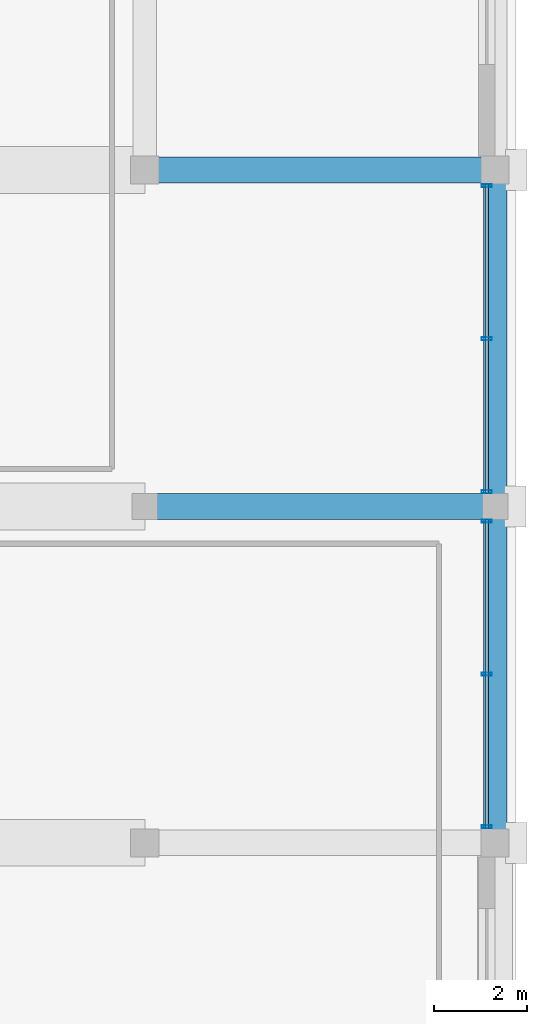
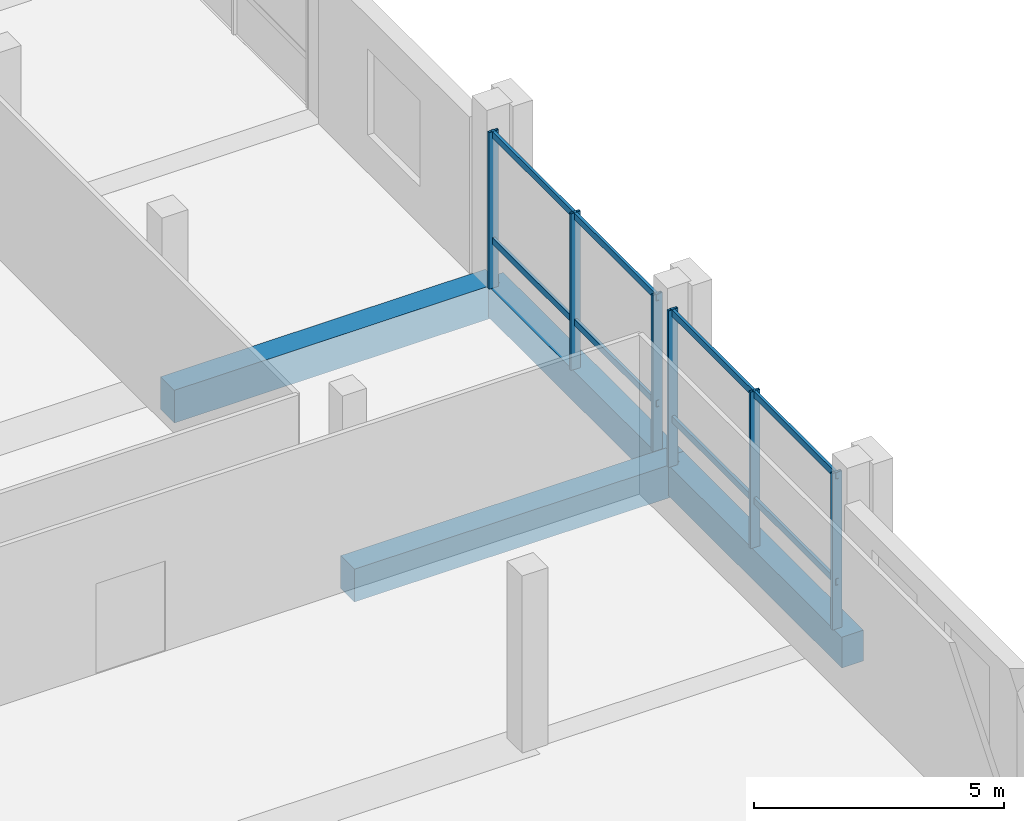
# One storey, part 34 of 68: 10 members, 4 beams, 2 elements without a shape of their own.
"""IFC4 building model written with IfcOpenShell, lengths in metres."""

from ifc_helpers import new_model, si_unit, direction, frame, origin, origin_2d, place, context, subcontext, project, spatial, rectangle, hollow_rectangle, extrude, material, material_profile, profile_set, type_object, element, aggregate, save


model = new_model("IFC4")

# Units and contexts
model_context = context("Model", 3, precision=1e-05, world=origin(), true_north=direction((0.0, 1.0)))
body_context = subcontext(model_context, "Body", "Model", "MODEL_VIEW")
ifc_project = project(units=[si_unit("LENGTHUNIT", "METRE"), si_unit("AREAUNIT", "SQUARE_METRE"), si_unit("VOLUMEUNIT", "CUBIC_METRE"), si_unit("PLANEANGLEUNIT", "RADIAN"), si_unit("MASSUNIT", "GRAM", prefix="KILO")], contexts=[model_context])

# Site, building, storey
site_placement = place(None, origin())
site = spatial("IfcSite", under=ifc_project, at=site_placement, CompositionType="ELEMENT")
building_placement = place(site_placement, origin())
building = spatial("IfcBuilding", under=site, at=building_placement, Name="Akrevak Sports Hall", CompositionType="ELEMENT")
storey_placement = place(building_placement, frame((0.0, 0.0, 9.39990234375)))
storey = spatial("IfcBuildingStorey", under=building, at=storey_placement, Name="L02", CompositionType="ELEMENT", Elevation=9.39990234375)

# Curtain wall, members
ifc_material_1 = material(Name="Anodized Bronze Aluminium & Low-E Glass", Category="aluminium")
curtain_wall_type = type_object("IfcCurtainWallType", Name="ARC-CW-POD-64x42", PredefinedType="NOTDEFINED", material=ifc_material_1)
curtain_wall_1_placement = place(storey_placement, origin())
curtain_wall_1 = element("IfcCurtainWall", 1, at=curtain_wall_1_placement, inside=storey, type_object=curtain_wall_type, Name="Curtain Wall CW-L02-E03", PredefinedType="NOTDEFINED")
ifc_material_2 = material(Name="Anodized Bronze Aluminium", Category="aluminium")
ifc_material_profile_1 = material_profile(ifc_material_2, hollow_rectangle(XDim=0.06494140625, YDim=0.219970703125, WallThickness=0.00439453125, at=origin_2d()), Name="CWM 65x220", Category="aluminium")
ifc_profile_set_1 = profile_set([ifc_material_profile_1], Name="Anodized Bronze Aluminium")
member_type_1 = type_object("IfcMemberType", Name="ARC-CWM-70x160", PredefinedType="MULLION", material=ifc_profile_set_1)
member_1_placement = place(storey_placement, frame((167.820068359375, 14.739990234375, 0.0), z_axis=(0.0, 0.0, 1.0), x_axis=(0.0, 1.0, 0.0)))
member_1 = element("IfcMember", 2, at=member_1_placement, type_object=member_type_1, Name="Curtain Wall Mullion CW-L02-E03-M1", PredefinedType="MULLION", context=body_context, shape_type="SweptSolid", body=[
    extrude(hollow_rectangle(XDim=0.06494140625, YDim=0.219970703125, WallThickness=0.00439453125, at=origin_2d()), origin(), (0.0, 0.0, 1.0), 3.820068359375),
])
member_2_placement = place(storey_placement, frame((167.820068359375, 18.012451171875, 0.0), z_axis=(0.0, 0.0, 1.0), x_axis=(0.0, 1.0, 0.0)))
member_2 = element("IfcMember", 3, at=member_2_placement, type_object=member_type_1, Name="Curtain Wall Mullion CW-L02-E03-M2", PredefinedType="MULLION", context=body_context, shape_type="SweptSolid", body=[
    extrude(hollow_rectangle(XDim=0.06494140625, YDim=0.219970703125, WallThickness=0.00439453125, at=origin_2d()), origin(), (0.0, 0.0, 1.0), 3.820068359375),
])
member_3_placement = place(storey_placement, frame((167.820068359375, 21.284912109375, 0.0), z_axis=(0.0, 0.0, 1.0), x_axis=(0.0, 1.0, 0.0)))
member_3 = element("IfcMember", 4, at=member_3_placement, type_object=member_type_1, Name="Curtain Wall Mullion CW-L02-E03-M3", PredefinedType="MULLION", context=body_context, shape_type="SweptSolid", body=[
    extrude(hollow_rectangle(XDim=0.06494140625, YDim=0.219970703125, WallThickness=0.00439453125, at=origin_2d()), origin(), (0.0, 0.0, 1.0), 3.820068359375),
])

curtain_wall_2_placement = place(storey_placement, origin())
curtain_wall_2 = element("IfcCurtainWall", 5, at=curtain_wall_2_placement, inside=storey, type_object=curtain_wall_type, Name="Curtain Wall CW-L02-E04", PredefinedType="NOTDEFINED")
member_4_placement = place(storey_placement, frame((167.820068359375, 21.9150390625, 0.0), z_axis=(0.0, 0.0, 1.0), x_axis=(0.0, 1.0, 0.0)))
member_4 = element("IfcMember", 6, at=member_4_placement, type_object=member_type_1, Name="Curtain Wall Mullion CW-L02-E04-M1", PredefinedType="MULLION", context=body_context, shape_type="SweptSolid", body=[
    extrude(hollow_rectangle(XDim=0.06494140625, YDim=0.219970703125, WallThickness=0.00439453125, at=origin_2d()), origin(), (0.0, 0.0, 1.0), 3.820068359375),
])
member_5_placement = place(storey_placement, frame((167.820068359375, 25.1875, 0.0), z_axis=(0.0, 0.0, 1.0), x_axis=(0.0, 1.0, 0.0)))
member_5 = element("IfcMember", 7, at=member_5_placement, type_object=member_type_1, Name="Curtain Wall Mullion CW-L02-E04-M2", PredefinedType="MULLION", context=body_context, shape_type="SweptSolid", body=[
    extrude(hollow_rectangle(XDim=0.06494140625, YDim=0.219970703125, WallThickness=0.00439453125, at=origin_2d()), origin(), (0.0, 0.0, 1.0), 3.820068359375),
])
member_6_placement = place(storey_placement, frame((167.820068359375, 28.4599609375, 0.0), z_axis=(0.0, 0.0, 1.0), x_axis=(0.0, 1.0, 0.0)))
member_6 = element("IfcMember", 8, at=member_6_placement, type_object=member_type_1, Name="Curtain Wall Mullion CW-L02-E04-M3", PredefinedType="MULLION", context=body_context, shape_type="SweptSolid", body=[
    extrude(hollow_rectangle(XDim=0.06494140625, YDim=0.219970703125, WallThickness=0.00439453125, at=origin_2d()), origin(), (0.0, 0.0, 1.0), 3.820068359375),
])

# Member
ifc_material_profile_2 = material_profile(ifc_material_2, hollow_rectangle(XDim=0.06494140625, YDim=0.159912109375, WallThickness=0.00390625, at=origin_2d()), Name="CWT 65x160", Category="aluminium")
ifc_profile_set_2 = profile_set([ifc_material_profile_2], Name="Anodized Bronze Aluminium")
member_type_2 = type_object("IfcMemberType", Name="ARC-CWT-70x130", PredefinedType="USERDEFINED", material=ifc_profile_set_2)
member_7_placement = place(storey_placement, frame((167.820068359375, 14.699951171875, 1.150146484375), z_axis=(0.0, 1.0, 0.0), x_axis=(-1.0, 0.0, 0.0)))
member_7 = element("IfcMember", 9, at=member_7_placement, type_object=member_type_2, Name="Curtain Wall Transom CW-L02-E03-T1", ObjectType="TRANSOM", PredefinedType="USERDEFINED", context=body_context, shape_type="SweptSolid", body=[
    extrude(hollow_rectangle(XDim=0.06494140625, YDim=0.159912109375, WallThickness=0.00390625, at=origin_2d()), origin(), (0.0, 0.0, 1.0), 6.625),
])

member_8_placement = place(storey_placement, frame((167.820068359375, 14.699951171875, 3.739990234375), z_axis=(0.0, 1.0, 0.0), x_axis=(-1.0, 0.0, 0.0)))
member_8 = element("IfcMember", 10, at=member_8_placement, type_object=member_type_2, Name="Curtain Wall Transom CW-L02-E03-T2", ObjectType="TRANSOM", PredefinedType="USERDEFINED", context=body_context, shape_type="SweptSolid", body=[
    extrude(hollow_rectangle(XDim=0.06494140625, YDim=0.159912109375, WallThickness=0.00390625, at=origin_2d()), origin(), (0.0, 0.0, 1.0), 6.625),
])

aggregate(curtain_wall_1, [member_1, member_2, member_3, member_7, member_8])

member_9_placement = place(storey_placement, frame((167.820068359375, 21.875, 1.150146484375), z_axis=(0.0, 1.0, 0.0), x_axis=(-1.0, 0.0, 0.0)))
member_9 = element("IfcMember", 11, at=member_9_placement, type_object=member_type_2, Name="Curtain Wall Transom CW-L02-E04-T1", ObjectType="TRANSOM", PredefinedType="USERDEFINED", context=body_context, shape_type="SweptSolid", body=[
    extrude(hollow_rectangle(XDim=0.06494140625, YDim=0.159912109375, WallThickness=0.00390625, at=origin_2d()), origin(), (0.0, 0.0, 1.0), 6.625),
])

member_10_placement = place(storey_placement, frame((167.820068359375, 21.875, 3.739990234375), z_axis=(0.0, 1.0, 0.0), x_axis=(-1.0, 0.0, 0.0)))
member_10 = element("IfcMember", 12, at=member_10_placement, type_object=member_type_2, Name="Curtain Wall Transom CW-L02-E04-T2", ObjectType="TRANSOM", PredefinedType="USERDEFINED", context=body_context, shape_type="SweptSolid", body=[
    extrude(hollow_rectangle(XDim=0.06494140625, YDim=0.159912109375, WallThickness=0.00390625, at=origin_2d()), origin(), (0.0, 0.0, 1.0), 6.625),
])

aggregate(curtain_wall_2, [member_4, member_5, member_6, member_9, member_10])

# Beams
ifc_material_3 = material(Name="Concrete C40/50", Category="concrete")
ifc_material_profile_3 = material_profile(ifc_material_3, rectangle(XDim=0.5, YDim=0.75, at=origin_2d()), Name="BM 500x750", Category="concrete")
ifc_profile_set_3 = profile_set([ifc_material_profile_3], Name="Concrete C40/50")
beam_type_1 = type_object("IfcBeamType", Name="STR-BM-RC500x750", PredefinedType="BEAM", material=ifc_profile_set_3)
beam_1_placement = place(storey_placement, frame((168.0, 14.39990234375, -0.375), z_axis=(0.0, 1.0, 0.0), x_axis=(-1.0, 0.0, 0.0)))
element("IfcBeam", 13, at=beam_1_placement, inside=storey, type_object=beam_type_1, Name="Girder 23/C-D (L02)", PredefinedType="BEAM", context=body_context, shape_type="SweptSolid", body=[
    extrude(rectangle(XDim=0.5, YDim=0.75, at=origin_2d()), origin(), (0.0, 0.0, 1.0), 7.2001953125),
])
beam_2_placement = place(storey_placement, frame((168.0, 21.60009765625, -0.375), z_axis=(0.0, 1.0, 0.0), x_axis=(-1.0, 0.0, 0.0)))
element("IfcBeam", 14, at=beam_2_placement, inside=storey, type_object=beam_type_1, Name="Girder 23/D-E (L02)", PredefinedType="BEAM", context=body_context, shape_type="SweptSolid", body=[
    extrude(rectangle(XDim=0.5, YDim=0.75, at=origin_2d()), origin(), (0.0, 0.0, 1.0), 7.199951171875),
])
ifc_material_profile_4 = material_profile(ifc_material_3, rectangle(XDim=0.550048828125, YDim=0.800048828125, at=origin_2d()), Name="BM 550x800", Category="concrete")
ifc_profile_set_4 = profile_set([ifc_material_profile_4], Name="Concrete C40/50")
beam_type_2 = type_object("IfcBeamType", Name="STR-BM-RC550x800", PredefinedType="BEAM", material=ifc_profile_set_4)
for number, where, z_axis, x_axis, name in (
    (15, (160.5, 21.60009765625, -0.39990234375), (1.0, 0.0, 0.0), (0.0, 1.0, 0.0), "Girder D/22-23 (L02)"),
    (16, (160.5, 28.800048828125, -0.39990234375), (1.0, 0.0, 0.0), (0.0, 1.0, 0.0), "Girder E/22-23 (L02)"),
):
    element("IfcBeam", number, at=place(storey_placement, frame(where, z_axis=z_axis, x_axis=x_axis)), inside=storey, type_object=beam_type_2, Name=name, PredefinedType="BEAM", context=body_context, shape_type="SweptSolid", body=[
        extrude(rectangle(XDim=0.550048828125, YDim=0.800048828125, at=origin_2d()), origin(), (0.0, 0.0, 1.0), 7.5),
    ])

save(model, "model.ifc")
